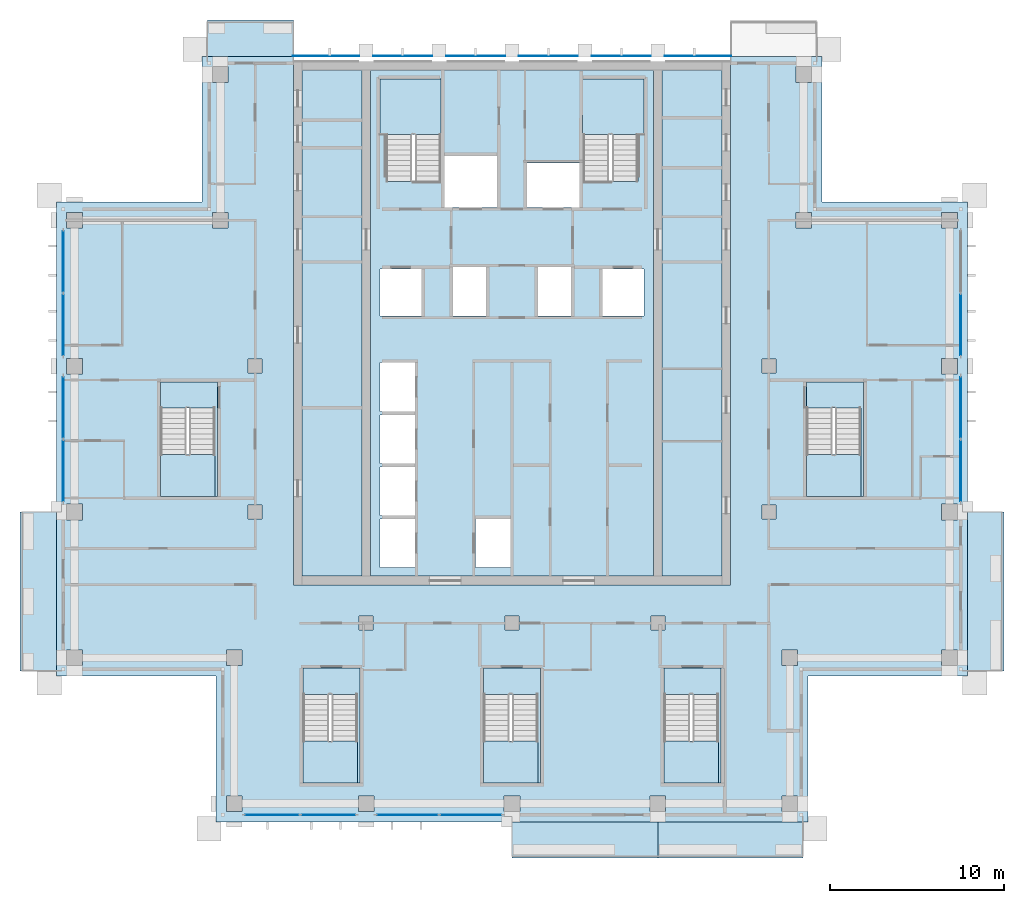
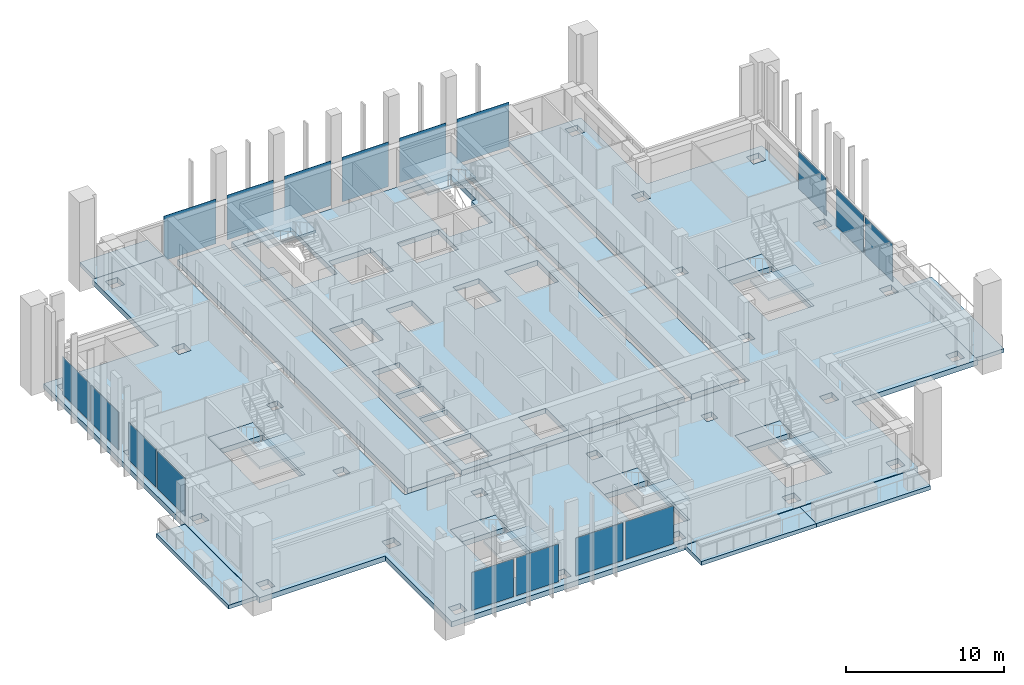
# One storey, part 7 of 18: 21 slabs, 17 plates, 13 elements without a shape of their own.
"""IFC4 building model written with IfcOpenShell, lengths in metres."""

from ifc_helpers import new_model, si_unit, direction, frame, origin, origin_2d, place, context, subcontext, project, spatial, polyline, rectangle, outline, extrude, material, layer, layer_set, type_object, element, aggregate, save


model = new_model("IFC4")

# Units and contexts
model_context = context("Model", 3, precision=1e-05, world=origin(), true_north=direction((0.0, 1.0)))
body_context = subcontext(model_context, "Body", "Model", "MODEL_VIEW")
ifc_project = project(units=[si_unit("LENGTHUNIT", "METRE"), si_unit("AREAUNIT", "SQUARE_METRE"), si_unit("VOLUMEUNIT", "CUBIC_METRE"), si_unit("PLANEANGLEUNIT", "RADIAN"), si_unit("MASSUNIT", "GRAM", prefix="KILO")], contexts=[model_context])

# Site, building, storey
site_placement = place(None, origin())
site = spatial("IfcSite", under=ifc_project, at=site_placement, CompositionType="ELEMENT")
building_placement = place(site_placement, origin())
building = spatial("IfcBuilding", under=site, at=building_placement, Name="Vermilion Ogive Tower", CompositionType="ELEMENT")
storey_placement = place(building_placement, frame((0.0, 0.0, 254.5)))
storey = spatial("IfcBuildingStorey", under=building, at=storey_placement, Name="L67", CompositionType="ELEMENT", Elevation=254.5)

# Slabs
ifc_material_1 = material(Name="Concrete B40", Category="concrete")
ifc_layer_1 = layer(ifc_material_1, 0.300048828125)
ifc_layer_set_1 = layer_set([ifc_layer_1], Name="Balcony slab")
slab_type_1 = type_object("IfcSlabType", Name="Balcony slab", PredefinedType="FLOOR", material=ifc_layer_set_1)
slab_1_placement = place(storey_placement, frame((0.0, 0.0, -0.340087890625)))
element("IfcSlab", 1, at=slab_1_placement, inside=storey, type_object=slab_type_1, Name="Balcony slab S03", PredefinedType="FLOOR", context=body_context, shape_type="SweptSolid", body=[
    extrude(outline(polyline([(0.0, -24.140869140625), (8.39990234375, -24.140869140625), (8.39990234375, -22.050048828125), (0.0, -22.050048828125), (0.0, -24.140869140625)])), origin(), (0.0, 0.0, 1.0), 0.300048828125),
])
slab_2_placement = place(storey_placement, frame((0.0, 0.0, -0.340087890625)))
element("IfcSlab", 2, at=slab_2_placement, inside=storey, type_object=slab_type_1, Name="Balcony slab S04", PredefinedType="FLOOR", context=body_context, shape_type="SweptSolid", body=[
    extrude(outline(polyline([(8.39990234375, -24.140869140625), (16.75, -24.140869140625), (16.75, -22.050048828125), (8.39990234375, -22.050048828125), (8.39990234375, -24.140869140625)])), origin(), (0.0, 0.0, 1.0), 0.300048828125),
])
slab_3_placement = place(storey_placement, frame((0.0, 0.0, -0.340087890625)))
element("IfcSlab", 3, at=slab_3_placement, inside=storey, type_object=slab_type_1, Name="Balcony slab E01", PredefinedType="FLOOR", context=body_context, shape_type="SweptSolid", body=[
    extrude(outline(polyline([(28.3408203125, -13.35009765625), (28.3408203125, -4.199951171875), (26.25, -4.199951171875), (26.25, -13.35009765625), (28.3408203125, -13.35009765625)])), origin(), (0.0, 0.0, 1.0), 0.300048828125),
])
slab_4_placement = place(storey_placement, frame((0.0, 0.0, -0.340087890625)))
element("IfcSlab", 4, at=slab_4_placement, inside=storey, type_object=slab_type_1, Name="Balcony slab N201", PredefinedType="FLOOR", context=body_context, shape_type="SweptSolid", body=[
    extrude(outline(polyline([(-12.60009765625, 24.140869140625), (-17.550048828125, 24.140869140625), (-17.550048828125, 22.050048828125), (-12.60009765625, 22.050048828125), (-12.60009765625, 24.140869140625)])), origin(), (0.0, 0.0, 1.0), 0.300048828125),
])
slab_5_placement = place(storey_placement, frame((0.0, 0.0, -0.340087890625)))
element("IfcSlab", 5, at=slab_5_placement, inside=storey, type_object=slab_type_1, Name="Balcony slab W03", PredefinedType="FLOOR", context=body_context, shape_type="SweptSolid", body=[
    extrude(outline(polyline([(-28.3408203125, -4.199951171875), (-28.3408203125, -13.35009765625), (-26.25, -13.35009765625), (-26.25, -4.199951171875), (-28.3408203125, -4.199951171875)])), origin(), (0.0, 0.0, 1.0), 0.300048828125),
])

# Curtain wall, plates
ifc_material_2 = material(Name="Low-iron laminated glazing in aluminium frame", Category="aluminium")
curtain_wall_type = type_object("IfcCurtainWallType", Name="Curtain wall CW7", PredefinedType="NOTDEFINED", material=ifc_material_2)
curtain_wall_1_placement = place(storey_placement, origin())
curtain_wall_1 = element("IfcCurtainWall", 6, at=curtain_wall_1_placement, inside=storey, type_object=curtain_wall_type, Name="Glazed skin S1", PredefinedType="NOTDEFINED")
ifc_material_3 = material(Name="Low-iron laminated glazing in aluminium frame", Category="aluminium")
ifc_layer_2 = layer(ifc_material_3, 0.031982421875)
ifc_layer_set_2 = layer_set([ifc_layer_2], Name="CW7 glazing panel 32")
plate_type_1 = type_object("IfcPlateType", Name="CW7 glazing panel 32", PredefinedType="CURTAIN_PANEL", material=ifc_layer_set_2)
plate_1_placement = place(storey_placement, frame((-13.830078125, -21.64990234375, 0.06005859375), z_axis=(0.0, 0.0, 1.0), x_axis=(1.0, 0.0, 0.0)))
plate_1 = element("IfcPlate", 7, at=plate_1_placement, type_object=plate_type_1, Name="CW7-S1 panel 1.1", PredefinedType="CURTAIN_PANEL", context=body_context, shape_type="SweptSolid", body=[
    extrude(rectangle(XDim=3.080078125, YDim=0.031982421875, at=origin_2d()), origin(), (0.0, 0.0, 1.0), 2.929931640625),
])
plate_2_placement = place(storey_placement, frame((-10.570068359375, -21.64990234375, 0.06005859375), z_axis=(0.0, 0.0, 1.0), x_axis=(1.0, 0.0, 0.0)))
plate_2 = element("IfcPlate", 8, at=plate_2_placement, type_object=plate_type_1, Name="CW7-S1 panel 2.1", PredefinedType="CURTAIN_PANEL", context=body_context, shape_type="SweptSolid", body=[
    extrude(rectangle(XDim=3.080078125, YDim=0.031982421875, at=origin_2d()), origin(), (0.0, 0.0, 1.0), 2.929931640625),
])
aggregate(curtain_wall_1, [plate_1, plate_2])

curtain_wall_2_placement = place(storey_placement, origin())
curtain_wall_2 = element("IfcCurtainWall", 9, at=curtain_wall_2_placement, inside=storey, type_object=curtain_wall_type, Name="Glazed skin S2", PredefinedType="NOTDEFINED")
plate_3_placement = place(storey_placement, frame((-6.030029296875, -21.64990234375, 0.06005859375), z_axis=(0.0, 0.0, 1.0), x_axis=(1.0, 0.0, 0.0)))
plate_3 = element("IfcPlate", 10, at=plate_3_placement, type_object=plate_type_1, Name="CW7-S2 panel 1.1", PredefinedType="CURTAIN_PANEL", context=body_context, shape_type="SweptSolid", body=[
    extrude(rectangle(XDim=3.47998046875, YDim=0.031982421875, at=origin_2d()), origin(), (0.0, 0.0, 1.0), 2.929931640625),
])
plate_4_placement = place(storey_placement, frame((-2.3701171875, -21.64990234375, 0.06005859375), z_axis=(0.0, 0.0, 1.0), x_axis=(1.0, 0.0, 0.0)))
plate_4 = element("IfcPlate", 11, at=plate_4_placement, type_object=plate_type_1, Name="CW7-S2 panel 2.1", PredefinedType="CURTAIN_PANEL", context=body_context, shape_type="SweptSolid", body=[
    extrude(rectangle(XDim=3.47998046875, YDim=0.031982421875, at=origin_2d()), origin(), (0.0, 0.0, 1.0), 2.929931640625),
])
aggregate(curtain_wall_2, [plate_3, plate_4])

curtain_wall_3_placement = place(storey_placement, origin())
curtain_wall_3 = element("IfcCurtainWall", 12, at=curtain_wall_3_placement, inside=storey, type_object=curtain_wall_type, Name="Glazed skin E2", PredefinedType="NOTDEFINED")
plate_5_placement = place(storey_placement, frame((25.85009765625, -1.830078125, 0.06005859375), z_axis=(0.0, 0.0, 1.0), x_axis=(0.0, 1.0, 0.0)))
plate_5 = element("IfcPlate", 13, at=plate_5_placement, type_object=plate_type_1, Name="CW7-E2 panel 1.1", PredefinedType="CURTAIN_PANEL", context=body_context, shape_type="SweptSolid", body=[
    extrude(rectangle(XDim=3.47998046875, YDim=0.031982421875, at=origin_2d()), origin(), (0.0, 0.0, 1.0), 2.929931640625),
])
plate_6_placement = place(storey_placement, frame((25.85009765625, 1.830078125, 0.06005859375), z_axis=(0.0, 0.0, 1.0), x_axis=(0.0, 1.0, 0.0)))
plate_6 = element("IfcPlate", 14, at=plate_6_placement, type_object=plate_type_1, Name="CW7-E2 panel 2.1", PredefinedType="CURTAIN_PANEL", context=body_context, shape_type="SweptSolid", body=[
    extrude(rectangle(XDim=3.47998046875, YDim=0.031982421875, at=origin_2d()), origin(), (0.0, 0.0, 1.0), 2.929931640625),
])
aggregate(curtain_wall_3, [plate_5, plate_6])

# Curtain wall, plate
curtain_wall_4_placement = place(storey_placement, origin())
curtain_wall_4 = element("IfcCurtainWall", 15, at=curtain_wall_4_placement, inside=storey, type_object=curtain_wall_type, Name="Glazed skin E3", PredefinedType="NOTDEFINED")
plate_7_placement = place(storey_placement, frame((25.85009765625, 6.570068359375, 0.06005859375), z_axis=(0.0, 0.0, 1.0), x_axis=(0.0, 1.0, 0.0)))
plate_7 = element("IfcPlate", 16, at=plate_7_placement, type_object=plate_type_1, Name="CW7-E3 panel 1.1", PredefinedType="CURTAIN_PANEL", context=body_context, shape_type="SweptSolid", body=[
    extrude(rectangle(XDim=3.47998046875, YDim=0.031982421875, at=origin_2d()), origin(), (0.0, 0.0, 1.0), 2.929931640625),
])
aggregate(curtain_wall_4, [plate_7])

# Curtain wall, plates
curtain_wall_5_placement = place(storey_placement, origin())
curtain_wall_5 = element("IfcCurtainWall", 17, at=curtain_wall_5_placement, inside=storey, type_object=curtain_wall_type, Name="Glazed skin W1", PredefinedType="NOTDEFINED")
plate_8_placement = place(storey_placement, frame((-25.85009765625, 10.22998046875, 0.06005859375), z_axis=(0.0, 0.0, 1.0), x_axis=(0.0, -1.0, 0.0)))
plate_8 = element("IfcPlate", 18, at=plate_8_placement, type_object=plate_type_1, Name="CW7-W1 panel 1.1", PredefinedType="CURTAIN_PANEL", context=body_context, shape_type="SweptSolid", body=[
    extrude(rectangle(XDim=3.47998046875, YDim=0.031982421875, at=origin_2d()), origin(), (0.0, 0.0, 1.0), 2.929931640625),
])
plate_9_placement = place(storey_placement, frame((-25.85009765625, 6.570068359375, 0.06005859375), z_axis=(0.0, 0.0, 1.0), x_axis=(0.0, -1.0, 0.0)))
plate_9 = element("IfcPlate", 19, at=plate_9_placement, type_object=plate_type_1, Name="CW7-W1 panel 2.1", PredefinedType="CURTAIN_PANEL", context=body_context, shape_type="SweptSolid", body=[
    extrude(rectangle(XDim=3.47998046875, YDim=0.031982421875, at=origin_2d()), origin(), (0.0, 0.0, 1.0), 2.929931640625),
])
aggregate(curtain_wall_5, [plate_8, plate_9])

curtain_wall_6_placement = place(storey_placement, origin())
curtain_wall_6 = element("IfcCurtainWall", 20, at=curtain_wall_6_placement, inside=storey, type_object=curtain_wall_type, Name="Glazed skin W2", PredefinedType="NOTDEFINED")
plate_10_placement = place(storey_placement, frame((-25.85009765625, 1.830078125, 0.06005859375), z_axis=(0.0, 0.0, 1.0), x_axis=(0.0, -1.0, 0.0)))
plate_10 = element("IfcPlate", 21, at=plate_10_placement, type_object=plate_type_1, Name="CW7-W2 panel 1.1", PredefinedType="CURTAIN_PANEL", context=body_context, shape_type="SweptSolid", body=[
    extrude(rectangle(XDim=3.47998046875, YDim=0.031982421875, at=origin_2d()), origin(), (0.0, 0.0, 1.0), 2.929931640625),
])
plate_11_placement = place(storey_placement, frame((-25.85009765625, -1.830078125, 0.06005859375), z_axis=(0.0, 0.0, 1.0), x_axis=(0.0, -1.0, 0.0)))
plate_11 = element("IfcPlate", 22, at=plate_11_placement, type_object=plate_type_1, Name="CW7-W2 panel 2.1", PredefinedType="CURTAIN_PANEL", context=body_context, shape_type="SweptSolid", body=[
    extrude(rectangle(XDim=3.47998046875, YDim=0.031982421875, at=origin_2d()), origin(), (0.0, 0.0, 1.0), 2.929931640625),
])
aggregate(curtain_wall_6, [plate_10, plate_11])

# Slabs
ifc_material_4 = material(Name="Concrete B40", Category="concrete")
ifc_layer_3 = layer(ifc_material_4, 0.39990234375)
ifc_layer_set_3 = layer_set([ifc_layer_3], Name="Core floor slab 400 B40")
slab_type_2 = type_object("IfcSlabType", Name="Core floor slab 400 B40", PredefinedType="FLOOR", material=ifc_layer_set_3)
slab_6_placement = place(storey_placement, frame((0.0, 0.0, -0.39990234375)))
element("IfcSlab", 23, at=slab_6_placement, inside=storey, type_object=slab_type_2, Name="L67-CK-FS1", PredefinedType="FLOOR", context=body_context, shape_type="SweptSolid", body=[
    extrude(outline(polyline([(-8.654052734375, 21.24609375), (-8.654052734375, -7.89599609375), (-12.095947265625, -7.89599609375), (-12.095947265625, 21.24609375), (-8.654052734375, 21.24609375)])), origin(), (0.0, 0.0, 1.0), 0.39990234375),
])
slab_7_placement = place(storey_placement, frame((0.0, 0.0, -0.39990234375)))
element("IfcSlab", 24, at=slab_7_placement, inside=storey, type_object=slab_type_2, Name="L67-CK-FS2", PredefinedType="FLOOR", context=body_context, shape_type="SweptSolid", body=[
    extrude(outline(polyline([(-8.14599609375, -7.89599609375), (8.14599609375, -7.89599609375), (8.14599609375, 21.24609375), (-8.14599609375, 21.24609375), (-8.14599609375, -7.89599609375)]), holes=[polyline([(-7.60009765625, -7.39990234375), (-7.60009765625, -4.60009765625), (-5.60009765625, -4.60009765625), (-5.60009765625, -7.39990234375), (-7.60009765625, -7.39990234375)]), polyline([(-7.60009765625, -4.39990234375), (-7.60009765625, -1.60009765625), (-5.60009765625, -1.60009765625), (-5.60009765625, -4.39990234375), (-7.60009765625, -4.39990234375)]), polyline([(-7.60009765625, -1.39990234375), (-7.60009765625, 1.39990234375), (-5.60009765625, 1.39990234375), (-5.60009765625, -1.39990234375), (-7.60009765625, -1.39990234375)]), polyline([(-7.60009765625, 1.60009765625), (-7.60009765625, 4.39990234375), (-5.60009765625, 4.39990234375), (-5.60009765625, 1.60009765625), (-7.60009765625, 1.60009765625)]), polyline([(-7.60009765625, 7.10009765625), (-7.60009765625, 9.800048828125), (-5.199951171875, 9.800048828125), (-5.199951171875, 7.10009765625), (-7.60009765625, 7.10009765625)]), polyline([(-3.39990234375, 9.89990234375), (-1.5, 9.89990234375), (-1.5, 7.10009765625), (-3.39990234375, 7.10009765625), (-3.39990234375, 9.89990234375)]), polyline([(-7.60009765625, 17.550048828125), (-7.60009765625, 20.75), (-4.10009765625, 20.75), (-4.10009765625, 14.85205078125), (-5.60009765625, 14.85205078125), (-5.60009765625, 14.85009765625), (-5.75, 14.85009765625), (-5.75, 14.85205078125), (-7.25, 14.85205078125), (-7.25, 17.550048828125), (-7.60009765625, 17.550048828125)]), polyline([(-2.10009765625, -7.39990234375), (-2.10009765625, -4.60009765625), (-0.10009765625, -4.60009765625), (-0.10009765625, -7.39990234375), (-2.10009765625, -7.39990234375)]), polyline([(5.199951171875, 7.10009765625), (5.199951171875, 9.800048828125), (7.60009765625, 9.800048828125), (7.60009765625, 7.10009765625), (5.199951171875, 7.10009765625)]), polyline([(1.5, 7.10009765625), (1.5, 9.89990234375), (3.39990234375, 9.89990234375), (3.39990234375, 7.10009765625), (1.5, 7.10009765625)]), polyline([(0.85009765625, 13.35009765625), (0.85009765625, 15.89990234375), (3.89990234375, 15.89990234375), (3.89990234375, 13.35009765625), (0.85009765625, 13.35009765625)]), polyline([(-3.89990234375, 16.300048828125), (-0.85009765625, 16.300048828125), (-0.85009765625, 13.35009765625), (-3.89990234375, 13.35009765625), (-3.89990234375, 16.300048828125)]), polyline([(5.75, 14.85009765625), (5.60009765625, 14.85009765625), (5.60009765625, 14.85205078125), (4.10009765625, 14.85205078125), (4.10009765625, 17.550048828125), (4.074951171875, 17.550048828125), (4.074951171875, 20.75), (7.60009765625, 20.75), (7.60009765625, 17.550048828125), (7.25, 17.550048828125), (7.25, 14.85205078125), (5.75, 14.85205078125), (5.75, 14.85009765625)])]), origin(), (0.0, 0.0, 1.0), 0.39990234375),
])
slab_8_placement = place(storey_placement, frame((0.0, 0.0, -0.39990234375)))
element("IfcSlab", 25, at=slab_8_placement, inside=storey, type_object=slab_type_2, Name="L67-CK-FS3", PredefinedType="FLOOR", context=body_context, shape_type="SweptSolid", body=[
    extrude(outline(polyline([(8.654052734375, 21.24609375), (12.095947265625, 21.24609375), (12.095947265625, -7.89599609375), (8.654052734375, -7.89599609375), (8.654052734375, 21.24609375)])), origin(), (0.0, 0.0, 1.0), 0.39990234375),
])
slab_9_placement = place(storey_placement, frame((0.0, 0.0, -0.39990234375)))
element("IfcSlab", 26, at=slab_9_placement, inside=storey, type_object=slab_type_2, Name="L67-SF-ST3-1", PredefinedType="FLOOR", context=body_context, shape_type="SweptSolid", body=[
    extrude(outline(polyline([(-12.050048828125, -13.199951171875), (-12.050048828125, -14.701904296875), (-10.550048828125, -14.701904296875), (-10.550048828125, -14.699951171875), (-10.39990234375, -14.699951171875), (-10.39990234375, -14.701904296875), (-8.89990234375, -14.701904296875), (-8.89990234375, -19.800048828125), (-8.75, -19.800048828125), (-8.75, -13.199951171875), (-12.050048828125, -13.199951171875)])), origin(), (0.0, 0.0, 1.0), 0.39990234375),
])
slab_10_placement = place(storey_placement, frame((0.0, 0.0, -0.39990234375)))
element("IfcSlab", 27, at=slab_10_placement, inside=storey, type_object=slab_type_2, Name="L67-SF-ST4-1", PredefinedType="FLOOR", context=body_context, shape_type="SweptSolid", body=[
    extrude(outline(polyline([(-1.64990234375, -13.199951171875), (-1.64990234375, -14.701904296875), (-0.14990234375, -14.701904296875), (-0.14990234375, -14.699951171875), (0.0, -14.699951171875), (0.0, -14.701904296875), (1.5, -14.701904296875), (1.5, -19.800048828125), (1.64990234375, -19.800048828125), (1.64990234375, -13.199951171875), (-1.64990234375, -13.199951171875)])), origin(), (0.0, 0.0, 1.0), 0.39990234375),
])
slab_11_placement = place(storey_placement, frame((0.0, 0.0, -0.39990234375)))
element("IfcSlab", 28, at=slab_11_placement, inside=storey, type_object=slab_type_2, Name="L67-SF-ST5-1", PredefinedType="FLOOR", context=body_context, shape_type="SweptSolid", body=[
    extrude(outline(polyline([(8.75, -13.199951171875), (8.75, -14.701904296875), (10.25, -14.701904296875), (10.25, -14.699951171875), (10.39990234375, -14.699951171875), (10.39990234375, -14.701904296875), (11.89990234375, -14.701904296875), (11.89990234375, -19.800048828125), (12.050048828125, -19.800048828125), (12.050048828125, -13.199951171875), (8.75, -13.199951171875)])), origin(), (0.0, 0.0, 1.0), 0.39990234375),
])
slab_12_placement = place(storey_placement, frame((0.0, 0.0, -0.39990234375)))
element("IfcSlab", 29, at=slab_12_placement, inside=storey, type_object=slab_type_2, Name="L67-SF-ST8-1", PredefinedType="FLOOR", context=body_context, shape_type="SweptSolid", body=[
    extrude(outline(polyline([(16.949951171875, 3.300048828125), (16.949951171875, 1.798095703125), (18.449951171875, 1.798095703125), (18.449951171875, 1.800048828125), (18.60009765625, 1.800048828125), (18.60009765625, 1.798095703125), (20.10009765625, 1.798095703125), (20.10009765625, -3.300048828125), (20.25, -3.300048828125), (20.25, 3.300048828125), (16.949951171875, 3.300048828125)])), origin(), (0.0, 0.0, 1.0), 0.39990234375),
])
slab_13_placement = place(storey_placement, frame((0.0, 0.0, -0.39990234375)))
element("IfcSlab", 30, at=slab_13_placement, inside=storey, type_object=slab_type_2, Name="L67-SF-ST9-1", PredefinedType="FLOOR", context=body_context, shape_type="SweptSolid", body=[
    extrude(outline(polyline([(-20.25, 3.300048828125), (-20.25, 1.798095703125), (-18.75, 1.798095703125), (-18.75, 1.800048828125), (-18.60009765625, 1.800048828125), (-18.60009765625, 1.798095703125), (-17.10009765625, 1.798095703125), (-17.10009765625, -3.300048828125), (-16.949951171875, -3.300048828125), (-16.949951171875, 3.300048828125), (-20.25, 3.300048828125)])), origin(), (0.0, 0.0, 1.0), 0.39990234375),
])

# Plates
ifc_material_5 = material(Name="Low-iron laminated glazing in aluminium frame", Category="aluminium")
ifc_layer_4 = layer(ifc_material_5, 0.031982421875)
ifc_layer_set_4 = layer_set([ifc_layer_4], Name="Glazed rainscreen sheet 32")
plate_type_2 = type_object("IfcPlateType", Name="Glazed rainscreen sheet 32", PredefinedType="SHEET", material=ifc_layer_set_4)
plate_12_placement = place(storey_placement, frame((-10.7099609375, 22.06591796875, -0.39990234375), z_axis=(0.0, 0.0, 1.0), x_axis=(1.0, 0.0, 0.0)))
element("IfcPlate", 31, at=plate_12_placement, inside=storey, type_object=plate_type_2, Name="Glazed rainscreen sheet N1", PredefinedType="SHEET", context=body_context, shape_type="SweptSolid", body=[
    extrude(rectangle(XDim=3.820068359375, YDim=0.031982421875, at=origin_2d()), origin(), (0.0, 0.0, 1.0), 3.449951171875),
])
for number, where, z_axis, x_axis, name in (
    (32, (-6.300048828125, 22.06591796875, -0.39990234375), (0.0, 0.0, 1.0), (1.0, 0.0, 0.0), "Glazed rainscreen sheet N2"),
    (33, (-2.10009765625, 22.06591796875, -0.39990234375), (0.0, 0.0, 1.0), (1.0, 0.0, 0.0), "Glazed rainscreen sheet N3"),
    (34, (2.10009765625, 22.06591796875, -0.39990234375), (0.0, 0.0, 1.0), (1.0, 0.0, 0.0), "Glazed rainscreen sheet N4"),
    (35, (6.300048828125, 22.06591796875, -0.39990234375), (0.0, 0.0, 1.0), (1.0, 0.0, 0.0), "Glazed rainscreen sheet N5"),
):
    element("IfcPlate", number, at=place(storey_placement, frame(where, z_axis=z_axis, x_axis=x_axis)), inside=storey, type_object=plate_type_2, Name=name, PredefinedType="SHEET", context=body_context, shape_type="SweptSolid", body=[
        extrude(rectangle(XDim=3.39990234375, YDim=0.031982421875, at=origin_2d()), origin(), (0.0, 0.0, 1.0), 3.449951171875),
    ])
plate_13_placement = place(storey_placement, frame((10.7099609375, 22.06591796875, -0.39990234375), z_axis=(0.0, 0.0, 1.0), x_axis=(1.0, 0.0, 0.0)))
element("IfcPlate", 36, at=plate_13_placement, inside=storey, type_object=plate_type_2, Name="Glazed rainscreen sheet N6", PredefinedType="SHEET", context=body_context, shape_type="SweptSolid", body=[
    extrude(rectangle(XDim=3.820068359375, YDim=0.031982421875, at=origin_2d()), origin(), (0.0, 0.0, 1.0), 3.449951171875),
])

# Slab
ifc_material_6 = material(Name="Concrete B45", Category="concrete")
ifc_layer_5 = layer(ifc_material_6, 0.39990234375)
ifc_layer_set_5 = layer_set([ifc_layer_5], Name="Post-tensioned flat plate 400 B45")
slab_type_3 = type_object("IfcSlabType", Name="Post-tensioned flat plate 400 B45", PredefinedType="FLOOR", material=ifc_layer_set_5)
slab_14_placement = place(storey_placement, frame((0.0, 0.0, -0.39990234375)))
element("IfcSlab", 37, at=slab_14_placement, inside=storey, type_object=slab_type_3, Name="L67-SL-1", PredefinedType="FLOOR", context=body_context, shape_type="SweptSolid", body=[
    extrude(outline(polyline([(-26.25, -13.64990234375), (-17.050048828125, -13.64990234375), (-17.050048828125, -22.050048828125), (17.050048828125, -22.050048828125), (17.050048828125, -13.64990234375), (26.25, -13.64990234375), (26.25, 13.64990234375), (17.85009765625, 13.64990234375), (17.85009765625, 22.050048828125), (12.60009765625, 22.050048828125), (12.60009765625, -8.39990234375), (-12.60009765625, -8.39990234375), (-12.60009765625, 22.050048828125), (-17.85009765625, 22.050048828125), (-17.85009765625, 13.64990234375), (-26.25, 13.64990234375), (-26.25, -13.64990234375)]), holes=[polyline([(25.64990234375, -3.75), (25.64990234375, -4.64990234375), (24.75, -4.64990234375), (24.75, -3.75), (25.64990234375, -3.75)]), polyline([(25.64990234375, -12.14990234375), (25.64990234375, -13.050048828125), (24.75, -13.050048828125), (24.75, -12.14990234375), (25.64990234375, -12.14990234375)]), polyline([(25.64990234375, 12.14990234375), (24.75, 12.14990234375), (24.75, 13.050048828125), (25.64990234375, 13.050048828125), (25.64990234375, 12.14990234375)]), polyline([(25.64990234375, 3.75), (24.75, 3.75), (24.75, 4.64990234375), (25.64990234375, 4.64990234375), (25.64990234375, 3.75)]), polyline([(20.25, 3.300048828125), (20.25, -3.300048828125), (16.949951171875, -3.300048828125), (16.949951171875, 3.300048828125), (20.25, 3.300048828125)]), polyline([(17.25, 13.050048828125), (17.25, 12.14990234375), (16.35009765625, 12.14990234375), (16.35009765625, 13.050048828125), (17.25, 13.050048828125)]), polyline([(17.25, 20.550048828125), (16.35009765625, 20.550048828125), (16.35009765625, 21.449951171875), (17.25, 21.449951171875), (17.25, 20.550048828125)]), polyline([(16.449951171875, -12.14990234375), (16.449951171875, -13.050048828125), (15.550048828125, -13.050048828125), (15.550048828125, -12.14990234375), (16.449951171875, -12.14990234375)]), polyline([(16.449951171875, -20.550048828125), (16.449951171875, -21.449951171875), (15.550048828125, -21.449951171875), (15.550048828125, -20.550048828125), (16.449951171875, -20.550048828125)]), polyline([(15.199951171875, 4.60009765625), (15.199951171875, 3.800048828125), (14.39990234375, 3.800048828125), (14.39990234375, 4.60009765625), (15.199951171875, 4.60009765625)]), polyline([(15.199951171875, -4.60009765625), (14.39990234375, -4.60009765625), (14.39990234375, -3.800048828125), (15.199951171875, -3.800048828125), (15.199951171875, -4.60009765625)]), polyline([(12.050048828125, -13.199951171875), (12.050048828125, -19.800048828125), (8.75, -19.800048828125), (8.75, -13.199951171875), (12.050048828125, -13.199951171875)]), polyline([(8.85009765625, -20.550048828125), (8.85009765625, -21.449951171875), (7.949951171875, -21.449951171875), (7.949951171875, -20.550048828125), (8.85009765625, -20.550048828125)]), polyline([(8.800048828125, -11.0), (8.0, -11.0), (8.0, -10.199951171875), (8.800048828125, -10.199951171875), (8.800048828125, -11.0)]), polyline([(1.64990234375, -13.199951171875), (1.64990234375, -19.800048828125), (-1.64990234375, -19.800048828125), (-1.64990234375, -13.199951171875), (1.64990234375, -13.199951171875)]), polyline([(0.449951171875, -20.550048828125), (0.449951171875, -21.449951171875), (-0.449951171875, -21.449951171875), (-0.449951171875, -20.550048828125), (0.449951171875, -20.550048828125)]), polyline([(0.39990234375, -10.199951171875), (0.39990234375, -11.0), (-0.39990234375, -11.0), (-0.39990234375, -10.199951171875), (0.39990234375, -10.199951171875)]), polyline([(-7.949951171875, -20.550048828125), (-7.949951171875, -21.449951171875), (-8.85009765625, -21.449951171875), (-8.85009765625, -20.550048828125), (-7.949951171875, -20.550048828125)]), polyline([(-8.0, -10.199951171875), (-8.0, -11.0), (-8.800048828125, -11.0), (-8.800048828125, -10.199951171875), (-8.0, -10.199951171875)]), polyline([(-8.75, -13.199951171875), (-8.75, -19.800048828125), (-12.050048828125, -19.800048828125), (-12.050048828125, -13.199951171875), (-8.75, -13.199951171875)]), polyline([(-14.39990234375, 4.60009765625), (-14.39990234375, 3.800048828125), (-15.199951171875, 3.800048828125), (-15.199951171875, 4.60009765625), (-14.39990234375, 4.60009765625)]), polyline([(-14.39990234375, -4.60009765625), (-15.199951171875, -4.60009765625), (-15.199951171875, -3.800048828125), (-14.39990234375, -3.800048828125), (-14.39990234375, -4.60009765625)]), polyline([(-15.550048828125, -12.14990234375), (-15.550048828125, -13.050048828125), (-16.449951171875, -13.050048828125), (-16.449951171875, -12.14990234375), (-15.550048828125, -12.14990234375)]), polyline([(-15.550048828125, -20.550048828125), (-15.550048828125, -21.449951171875), (-16.449951171875, -21.449951171875), (-16.449951171875, -20.550048828125), (-15.550048828125, -20.550048828125)]), polyline([(-16.35009765625, 13.050048828125), (-16.35009765625, 12.14990234375), (-17.25, 12.14990234375), (-17.25, 13.050048828125), (-16.35009765625, 13.050048828125)]), polyline([(-16.35009765625, 20.550048828125), (-17.25, 20.550048828125), (-17.25, 21.449951171875), (-16.35009765625, 21.449951171875), (-16.35009765625, 20.550048828125)]), polyline([(-16.949951171875, 3.300048828125), (-16.949951171875, -3.300048828125), (-20.25, -3.300048828125), (-20.25, -3.2998046875), (-20.275146484375, -3.2998046875), (-20.275146484375, -0.89990234375), (-20.25, -0.89990234375), (-20.25, 3.300048828125), (-16.949951171875, 3.300048828125)]), polyline([(-24.75, 3.75), (-25.64990234375, 3.75), (-25.64990234375, 4.64990234375), (-24.75, 4.64990234375), (-24.75, 3.75)]), polyline([(-24.75, 13.050048828125), (-24.75, 12.14990234375), (-25.64990234375, 12.14990234375), (-25.64990234375, 13.050048828125), (-24.75, 13.050048828125)]), polyline([(-24.75, -3.75), (-24.75, -4.64990234375), (-25.64990234375, -4.64990234375), (-25.64990234375, -3.75), (-24.75, -3.75)]), polyline([(-24.75, -12.14990234375), (-24.75, -13.050048828125), (-25.64990234375, -13.050048828125), (-25.64990234375, -12.14990234375), (-24.75, -12.14990234375)])]), origin(), (0.0, 0.0, 1.0), 0.39990234375),
])

# Stair, slab
ifc_material_7 = material(Name="Concrete B40", Category="concrete")
stair_type = type_object("IfcStairType", Name="Exit stair 1500", PredefinedType="HALF_TURN_STAIR", material=ifc_material_7)
stair_1_placement = place(storey_placement, origin())
stair_1 = element("IfcStair", 38, at=stair_1_placement, inside=storey, type_object=stair_type, Name="L67 Exit Stair ST1", PredefinedType="HALF_TURN_STAIR")
ifc_material_8 = material(Name="Concrete B40", Category="concrete")
ifc_layer_6 = layer(ifc_material_8, 0.199951171875)
ifc_layer_set_6 = layer_set([ifc_layer_6], Name="Stair landing 200")
slab_type_4 = type_object("IfcSlabType", Name="Stair landing 200", PredefinedType="LANDING", material=ifc_layer_set_6)
slab_15_placement = place(storey_placement, frame((0.0, 0.0, 1.52490234375)))
slab_15 = element("IfcSlab", 39, at=slab_15_placement, type_object=slab_type_4, Name="ST1 landing 1", PredefinedType="LANDING", context=body_context, shape_type="SweptSolid", body=[
    extrude(outline(polyline([(-7.60009765625, 17.550048828125), (-7.25, 17.550048828125), (-7.25, 17.548095703125), (-5.75, 17.548095703125), (-5.75, 17.550048828125), (-5.60009765625, 17.550048828125), (-5.60009765625, 17.548095703125), (-4.10009765625, 17.548095703125), (-4.10009765625, 20.75), (-7.60009765625, 20.75), (-7.60009765625, 17.550048828125)])), origin(), (0.0, 0.0, 1.0), 0.2001953125),
])
aggregate(stair_1, [slab_15])

stair_2_placement = place(storey_placement, origin())
stair_2 = element("IfcStair", 40, at=stair_2_placement, inside=storey, type_object=stair_type, Name="L67 Exit Stair ST2", PredefinedType="HALF_TURN_STAIR")
slab_16_placement = place(storey_placement, frame((0.0, 0.0, 1.52490234375)))
slab_16 = element("IfcSlab", 41, at=slab_16_placement, type_object=slab_type_4, Name="ST2 landing 1", PredefinedType="LANDING", context=body_context, shape_type="SweptSolid", body=[
    extrude(outline(polyline([(5.60009765625, 17.550048828125), (5.75, 17.550048828125), (5.75, 17.548095703125), (7.25, 17.548095703125), (7.25, 17.550048828125), (7.60009765625, 17.550048828125), (7.60009765625, 20.75), (4.074951171875, 20.75), (4.074951171875, 17.550048828125), (4.10009765625, 17.550048828125), (4.10009765625, 17.548095703125), (5.60009765625, 17.548095703125), (5.60009765625, 17.550048828125)])), origin(), (0.0, 0.0, 1.0), 0.2001953125),
])
aggregate(stair_2, [slab_16])

stair_3_placement = place(storey_placement, origin())
stair_3 = element("IfcStair", 42, at=stair_3_placement, inside=storey, type_object=stair_type, Name="L67 Exit Stair ST3", PredefinedType="HALF_TURN_STAIR")
slab_17_placement = place(storey_placement, frame((0.0, 0.0, 1.52490234375)))
slab_17 = element("IfcSlab", 43, at=slab_17_placement, type_object=slab_type_4, Name="ST3 landing 1", PredefinedType="LANDING", context=body_context, shape_type="SweptSolid", body=[
    extrude(outline(polyline([(-8.75, -17.39990234375), (-8.89990234375, -17.39990234375), (-8.89990234375, -17.39794921875), (-10.39990234375, -17.39794921875), (-10.39990234375, -17.39990234375), (-10.550048828125, -17.39990234375), (-10.550048828125, -17.39794921875), (-12.050048828125, -17.39794921875), (-12.050048828125, -19.800048828125), (-8.75, -19.800048828125), (-8.75, -17.39990234375)])), origin(), (0.0, 0.0, 1.0), 0.2001953125),
])
aggregate(stair_3, [slab_17])

stair_4_placement = place(storey_placement, origin())
stair_4 = element("IfcStair", 44, at=stair_4_placement, inside=storey, type_object=stair_type, Name="L67 Exit Stair ST4", PredefinedType="HALF_TURN_STAIR")
slab_18_placement = place(storey_placement, frame((0.0, 0.0, 1.52490234375)))
slab_18 = element("IfcSlab", 45, at=slab_18_placement, type_object=slab_type_4, Name="ST4 landing 1", PredefinedType="LANDING", context=body_context, shape_type="SweptSolid", body=[
    extrude(outline(polyline([(1.64990234375, -17.39990234375), (1.5, -17.39990234375), (1.5, -17.39794921875), (0.0, -17.39794921875), (0.0, -17.39990234375), (-0.14990234375, -17.39990234375), (-0.14990234375, -17.39794921875), (-1.64990234375, -17.39794921875), (-1.64990234375, -19.800048828125), (1.64990234375, -19.800048828125), (1.64990234375, -17.39990234375)])), origin(), (0.0, 0.0, 1.0), 0.2001953125),
])
aggregate(stair_4, [slab_18])

stair_5_placement = place(storey_placement, origin())
stair_5 = element("IfcStair", 46, at=stair_5_placement, inside=storey, type_object=stair_type, Name="L67 Exit Stair ST5", PredefinedType="HALF_TURN_STAIR")
slab_19_placement = place(storey_placement, frame((0.0, 0.0, 1.52490234375)))
slab_19 = element("IfcSlab", 47, at=slab_19_placement, type_object=slab_type_4, Name="ST5 landing 1", PredefinedType="LANDING", context=body_context, shape_type="SweptSolid", body=[
    extrude(outline(polyline([(12.0498046875, -17.39990234375), (11.89990234375, -17.39990234375), (11.89990234375, -17.39794921875), (10.39990234375, -17.39794921875), (10.39990234375, -17.39990234375), (10.25, -17.39990234375), (10.25, -17.39794921875), (8.75, -17.39794921875), (8.75, -17.39990234375), (8.75, -17.39990234375), (8.75, -19.7998046875), (12.0498046875, -19.7998046875), (12.0498046875, -17.39990234375)])), origin(), (0.0, 0.0, 1.0), 0.2001953125),
])
aggregate(stair_5, [slab_19])

stair_6_placement = place(storey_placement, origin())
stair_6 = element("IfcStair", 48, at=stair_6_placement, inside=storey, type_object=stair_type, Name="L67 Exit Stair ST8", PredefinedType="HALF_TURN_STAIR")
slab_20_placement = place(storey_placement, frame((0.0, 0.0, 1.52490234375)))
slab_20 = element("IfcSlab", 49, at=slab_20_placement, type_object=slab_type_4, Name="ST8 landing 1", PredefinedType="LANDING", context=body_context, shape_type="SweptSolid", body=[
    extrude(outline(polyline([(20.25, -0.89990234375), (20.10009765625, -0.89990234375), (20.10009765625, -0.89794921875), (18.60009765625, -0.89794921875), (18.60009765625, -0.89990234375), (18.449951171875, -0.89990234375), (18.449951171875, -0.89794921875), (16.949951171875, -0.89794921875), (16.949951171875, -0.902099609375), (16.9501953125, -0.902099609375), (16.9501953125, -3.2998046875), (20.25, -3.2998046875), (20.25, -0.89990234375)])), origin(), (0.0, 0.0, 1.0), 0.2001953125),
])
aggregate(stair_6, [slab_20])

stair_7_placement = place(storey_placement, origin())
stair_7 = element("IfcStair", 50, at=stair_7_placement, inside=storey, type_object=stair_type, Name="L67 Exit Stair ST9", PredefinedType="HALF_TURN_STAIR")
slab_21_placement = place(storey_placement, frame((0.0, 0.0, 1.52490234375)))
slab_21 = element("IfcSlab", 51, at=slab_21_placement, type_object=slab_type_4, Name="ST9 landing 1", PredefinedType="LANDING", context=body_context, shape_type="SweptSolid", body=[
    extrude(outline(polyline([(-16.9501953125, -0.89990234375), (-17.10009765625, -0.89990234375), (-17.10009765625, -0.89794921875), (-18.60009765625, -0.89794921875), (-18.60009765625, -0.89990234375), (-18.75, -0.89990234375), (-18.75, -0.89794921875), (-20.25, -0.89794921875), (-20.25, -0.89990234375), (-20.25, -0.89990234375), (-20.25, -3.2998046875), (-16.9501953125, -3.2998046875), (-16.9501953125, -0.89990234375)])), origin(), (0.0, 0.0, 1.0), 0.2001953125),
])
aggregate(stair_7, [slab_21])

save(model, "model.ifc")
